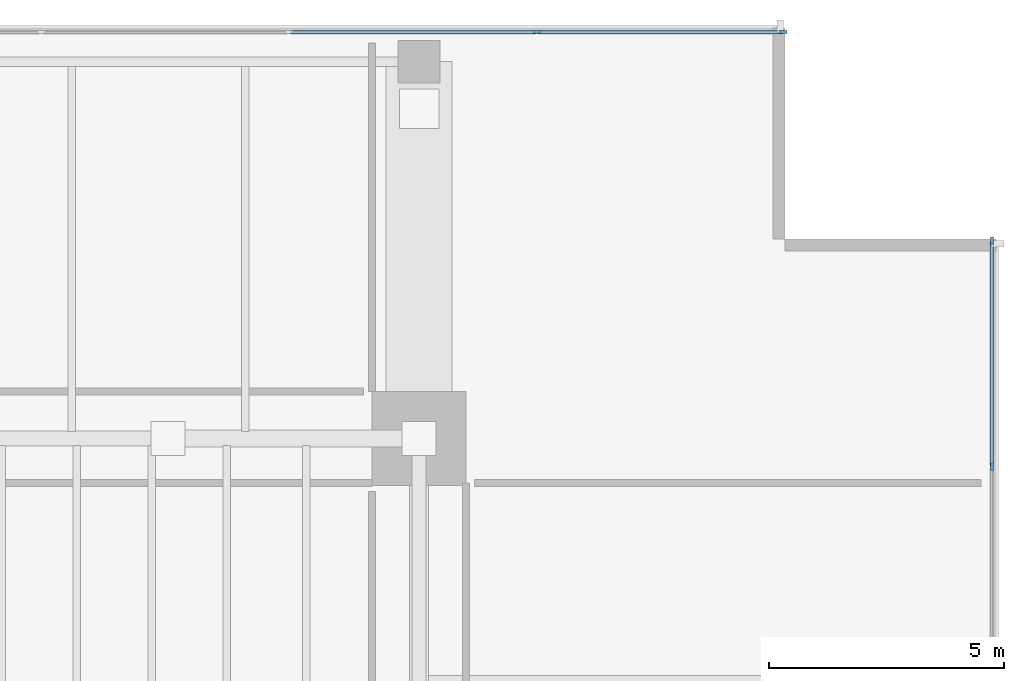
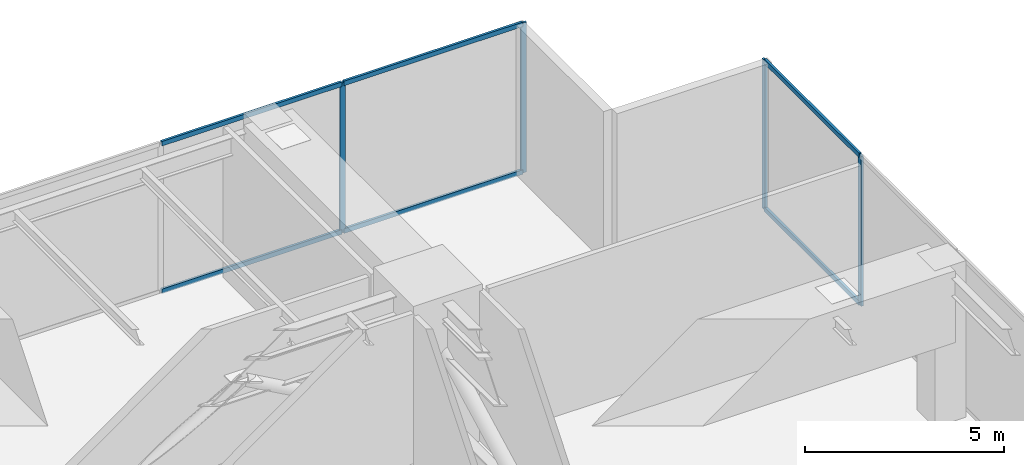
# One storey, part 6 of 14: 10 members, 2 elements without a shape of their own.
"""IFC4 building model written with IfcOpenShell, lengths in metres."""

from ifc_helpers import new_model, si_unit, direction, frame, origin, origin_2d, place, context, subcontext, project, spatial, rectangle, extrude, material, layer, layer_set, material_profile, profile_set, type_object, element, aggregate, save


model = new_model("IFC4")

# Units and contexts
model_context = context("Model", 3, precision=1e-05, world=origin(), true_north=direction((0.0, 1.0)))
body_context = subcontext(model_context, "Body", "Model", "MODEL_VIEW")
ifc_project = project(units=[si_unit("LENGTHUNIT", "METRE"), si_unit("AREAUNIT", "SQUARE_METRE"), si_unit("VOLUMEUNIT", "CUBIC_METRE"), si_unit("PLANEANGLEUNIT", "RADIAN"), si_unit("MASSUNIT", "GRAM", prefix="KILO")], contexts=[model_context])

# Site, building, storey
site_placement = place(None, origin())
site = spatial("IfcSite", under=ifc_project, at=site_placement, CompositionType="ELEMENT")
building_placement = place(site_placement, origin())
building = spatial("IfcBuilding", under=site, at=building_placement, Name="Kinhvarn Gate Tower", CompositionType="ELEMENT")
storey_placement = place(building_placement, frame((0.0, 0.0, 173.25)))
storey = spatial("IfcBuildingStorey", under=building, at=storey_placement, Name="L46", CompositionType="ELEMENT", Elevation=173.25)

# Curtain wall, members
ifc_material = material(Name="Anodised aluminium AW-6063", Category="aluminium")
ifc_layer = layer(ifc_material, 0.179931640625)
ifc_layer_set = layer_set([ifc_layer], Name="Anodised aluminium AW-6063")
curtain_wall_type = type_object("IfcCurtainWallType", Name="CW-SYS-3", PredefinedType="NOTDEFINED", material=ifc_layer_set)
curtain_wall_1_placement = place(storey_placement, origin())
curtain_wall_1 = element("IfcCurtainWall", 1, at=curtain_wall_1_placement, inside=storey, type_object=curtain_wall_type, Name="Curtain Wall CW3 (L46)", PredefinedType="NOTDEFINED")
ifc_material_profile_1 = material_profile(ifc_material, rectangle(XDim=0.06494140625, YDim=0.159912109375, at=origin_2d()), Name="ALU 65x160")
ifc_profile_set_1 = profile_set([ifc_material_profile_1], Name="Anodised aluminium AW-6063")
member_type_1 = type_object("IfcMemberType", Name="CW-MUL-160", PredefinedType="MULLION", material=ifc_profile_set_1)
member_1_placement = place(storey_placement, frame((45.967529296875, 46.409912109375, 0.0), z_axis=(0.0, 0.0, 1.0), x_axis=(0.0, -1.0, 0.0)))
member_1 = element("IfcMember", 2, at=member_1_placement, type_object=member_type_1, Name="CW3 mullion 1", PredefinedType="MULLION", context=body_context, shape_type="SweptSolid", body=[
    extrude(rectangle(XDim=0.06494140625, YDim=0.159912109375, at=origin_2d()), origin(), (0.0, 0.0, 1.0), 4.60009765625),
])
member_2_placement = place(storey_placement, frame((40.71435546875, 46.409912109375, 0.0), z_axis=(0.0, 0.0, 1.0), x_axis=(0.0, -1.0, 0.0)))
member_2 = element("IfcMember", 3, at=member_2_placement, type_object=member_type_1, Name="CW3 mullion 2", PredefinedType="MULLION", context=body_context, shape_type="SweptSolid", body=[
    extrude(rectangle(XDim=0.06494140625, YDim=0.159912109375, at=origin_2d()), origin(), (0.0, 0.0, 1.0), 4.60009765625),
])

curtain_wall_2_placement = place(storey_placement, origin())
curtain_wall_2 = element("IfcCurtainWall", 4, at=curtain_wall_2_placement, inside=storey, type_object=curtain_wall_type, Name="Curtain Wall CW3 (L46)", PredefinedType="NOTDEFINED")
member_3_placement = place(storey_placement, frame((50.409912109375, 37.142822265625, 0.0), z_axis=(0.0, 0.0, 1.0), x_axis=(-1.0, 0.0, 0.0)))
member_3 = element("IfcMember", 5, at=member_3_placement, type_object=member_type_1, Name="CW3 mullion 7", PredefinedType="MULLION", context=body_context, shape_type="SweptSolid", body=[
    extrude(rectangle(XDim=0.06494140625, YDim=0.159912109375, at=origin_2d()), origin(), (0.0, 0.0, 1.0), 4.60009765625),
])
member_4_placement = place(storey_placement, frame((50.409912109375, 41.967529296875, 0.0), z_axis=(0.0, 0.0, 1.0), x_axis=(-1.0, 0.0, 0.0)))
member_4 = element("IfcMember", 6, at=member_4_placement, type_object=member_type_1, Name="CW3 mullion 8", PredefinedType="MULLION", context=body_context, shape_type="SweptSolid", body=[
    extrude(rectangle(XDim=0.06494140625, YDim=0.159912109375, at=origin_2d()), origin(), (0.0, 0.0, 1.0), 4.60009765625),
])

# Member
ifc_material_profile_2 = material_profile(ifc_material, rectangle(XDim=0.070068359375, YDim=0.139892578125, at=origin_2d()), Name="ALU 70x140")
ifc_profile_set_2 = profile_set([ifc_material_profile_2], Name="Anodised aluminium AW-6063")
member_type_2 = type_object("IfcMemberType", Name="CW-TRN-140", PredefinedType="USERDEFINED", material=ifc_profile_set_2)
member_5_placement = place(storey_placement, frame((45.93505859375, 46.409912109375, 0.034912109375), z_axis=(-1.0, 0.0, 0.0), x_axis=(0.0, -1.0, 0.0)))
member_5 = element("IfcMember", 7, at=member_5_placement, type_object=member_type_2, Name="CW3 transom 1.1", ObjectType="TRANSOM", PredefinedType="USERDEFINED", context=body_context, shape_type="SweptSolid", body=[
    extrude(rectangle(XDim=0.070068359375, YDim=0.139892578125, at=origin_2d()), origin(), (0.0, 0.0, 1.0), 5.188232421875),
])

member_6_placement = place(storey_placement, frame((45.93505859375, 46.409912109375, 4.56494140625), z_axis=(-1.0, 0.0, 0.0), x_axis=(0.0, -1.0, 0.0)))
member_6 = element("IfcMember", 8, at=member_6_placement, type_object=member_type_2, Name="CW3 transom 1.2", ObjectType="TRANSOM", PredefinedType="USERDEFINED", context=body_context, shape_type="SweptSolid", body=[
    extrude(rectangle(XDim=0.070068359375, YDim=0.139892578125, at=origin_2d()), origin(), (0.0, 0.0, 1.0), 5.188232421875),
])

member_7_placement = place(storey_placement, frame((40.681884765625, 46.409912109375, 0.034912109375), z_axis=(-1.0, 0.0, 0.0), x_axis=(0.0, -1.0, 0.0)))
member_7 = element("IfcMember", 9, at=member_7_placement, type_object=member_type_2, Name="CW3 transom 2.1", ObjectType="TRANSOM", PredefinedType="USERDEFINED", context=body_context, shape_type="SweptSolid", body=[
    extrude(rectangle(XDim=0.070068359375, YDim=0.139892578125, at=origin_2d()), origin(), (0.0, 0.0, 1.0), 5.220703125),
])

member_8_placement = place(storey_placement, frame((40.681884765625, 46.409912109375, 4.56494140625), z_axis=(-1.0, 0.0, 0.0), x_axis=(0.0, -1.0, 0.0)))
member_8 = element("IfcMember", 10, at=member_8_placement, type_object=member_type_2, Name="CW3 transom 2.2", ObjectType="TRANSOM", PredefinedType="USERDEFINED", context=body_context, shape_type="SweptSolid", body=[
    extrude(rectangle(XDim=0.070068359375, YDim=0.139892578125, at=origin_2d()), origin(), (0.0, 0.0, 1.0), 5.220703125),
])

aggregate(curtain_wall_1, [member_1, member_2, member_5, member_6, member_7, member_8])

member_9_placement = place(storey_placement, frame((50.409912109375, 37.17529296875, 0.034912109375), z_axis=(0.0, 1.0, 0.0), x_axis=(-1.0, 0.0, 0.0)))
member_9 = element("IfcMember", 11, at=member_9_placement, type_object=member_type_2, Name="CW3 transom 7.1", ObjectType="TRANSOM", PredefinedType="USERDEFINED", context=body_context, shape_type="SweptSolid", body=[
    extrude(rectangle(XDim=0.070068359375, YDim=0.139892578125, at=origin_2d()), origin(), (0.0, 0.0, 1.0), 4.759765625),
])

member_10_placement = place(storey_placement, frame((50.409912109375, 37.17529296875, 4.56494140625), z_axis=(0.0, 1.0, 0.0), x_axis=(-1.0, 0.0, 0.0)))
member_10 = element("IfcMember", 12, at=member_10_placement, type_object=member_type_2, Name="CW3 transom 7.2", ObjectType="TRANSOM", PredefinedType="USERDEFINED", context=body_context, shape_type="SweptSolid", body=[
    extrude(rectangle(XDim=0.070068359375, YDim=0.139892578125, at=origin_2d()), origin(), (0.0, 0.0, 1.0), 4.759765625),
])

aggregate(curtain_wall_2, [member_3, member_4, member_9, member_10])

save(model, "model.ifc")
